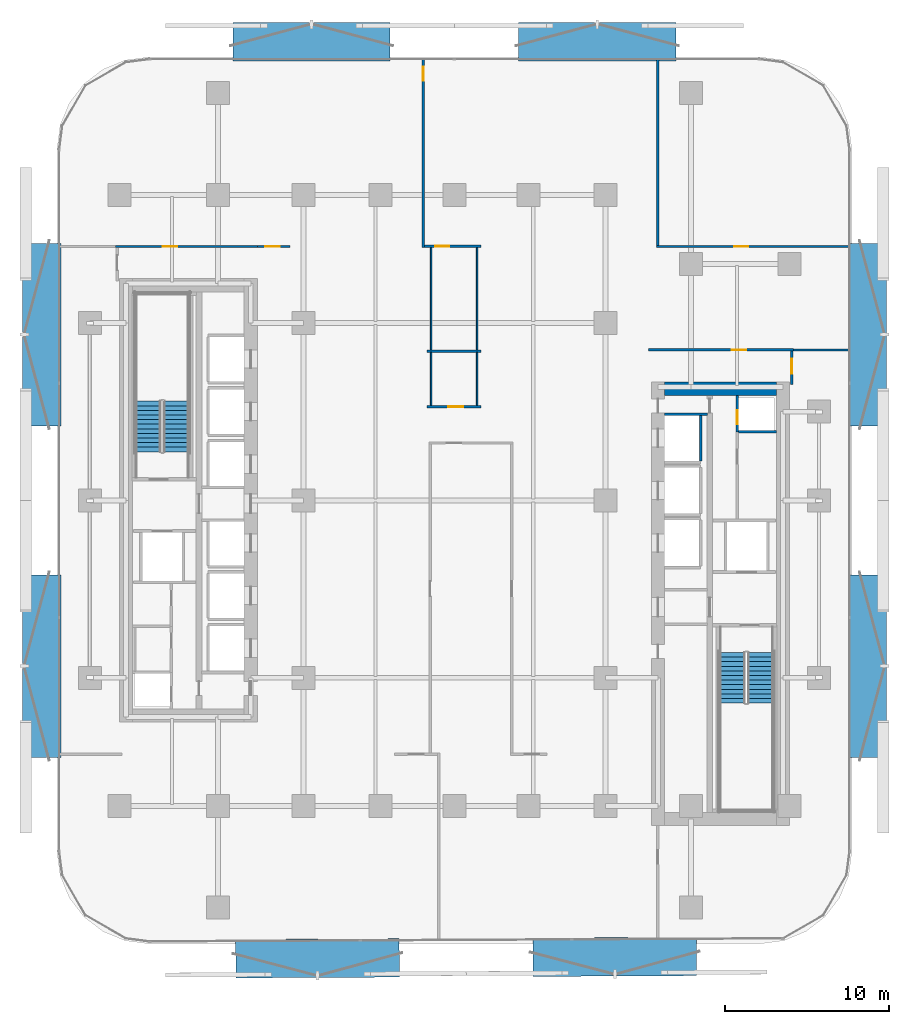
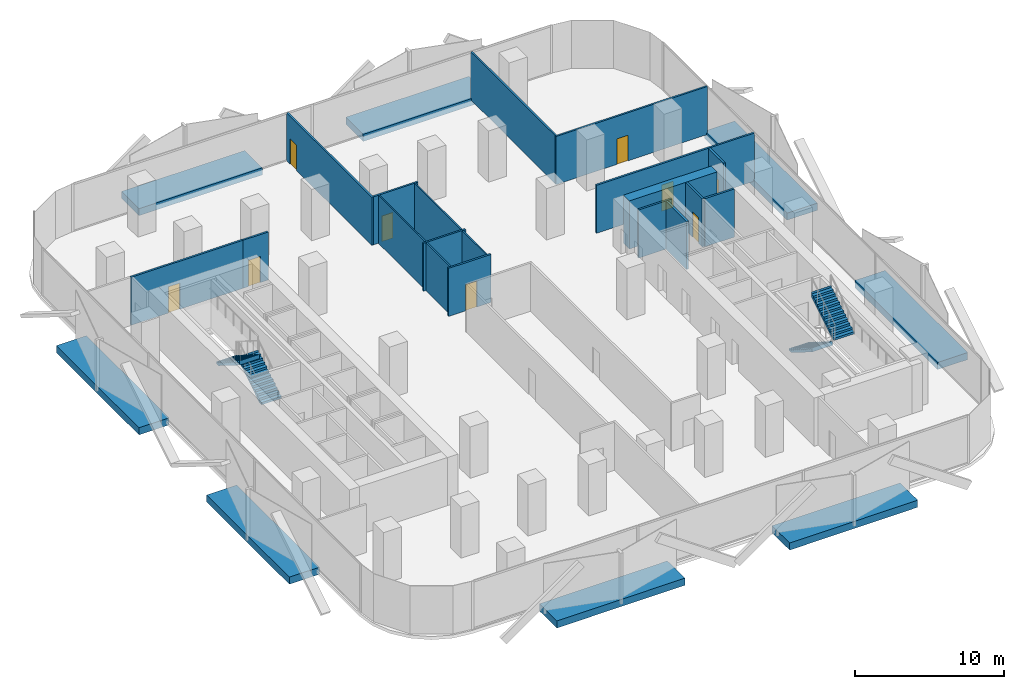
# One storey, part 5 of 14: 20 walls, 9 doors, 8 discrete accessories, 4 stair flights, 9 openings, 2 elements without a shape of their own.
"""IFC4 building model written with IfcOpenShell, lengths in metres."""

from ifc_helpers import new_model, si_unit, direction, frame, frame_2d, origin, origin_2d, place, context, subcontext, project, spatial, polyline, rectangle, outline, extrude, material, layer, layer_set, type_object, element, fill, aggregate, save


model = new_model("IFC4")

# Units and contexts
model_context = context("Model", 3, precision=1e-05, world=origin(), true_north=direction((0.0, 1.0)))
body_context = subcontext(model_context, "Body", "Model", "MODEL_VIEW")
ifc_project = project(units=[si_unit("LENGTHUNIT", "METRE"), si_unit("AREAUNIT", "SQUARE_METRE"), si_unit("VOLUMEUNIT", "CUBIC_METRE"), si_unit("PLANEANGLEUNIT", "RADIAN"), si_unit("MASSUNIT", "GRAM", prefix="KILO")], contexts=[model_context])

# Site, building, storey
site_placement = place(None, origin())
site = spatial("IfcSite", under=ifc_project, at=site_placement, CompositionType="ELEMENT")
building_placement = place(site_placement, origin())
building = spatial("IfcBuilding", under=site, at=building_placement, Name="Khairoan Windgate Tower", CompositionType="ELEMENT")
storey_placement = place(building_placement, frame((0.0, 0.0, 63.800048828125)))
storey = spatial("IfcBuildingStorey", under=building, at=storey_placement, Name="L15", CompositionType="ELEMENT", Elevation=63.800048828125)

# Walls
ifc_material_1 = material(Name="Moisture-Resistant Gypsum Partition", Category="gypsum")
ifc_layer_1 = layer(ifc_material_1, 0.10009765625, Name="Moisture-Resistant Gypsum Partition")
ifc_layer_set_1 = layer_set([ifc_layer_1], Name="Moisture-Resistant Gypsum Partition")
wall_type_1 = type_object("IfcWallType", Name="Bathroom Wet-Area Partition Wall", PredefinedType="PARTITIONING", material=ifc_layer_set_1)
for number, where, z_axis, x_axis, name in (
    (1, (1.3798828125, 9.010009765625, 0.0), (0.0, 0.0, 1.0), (0.0, -1.0, 0.0), "L15 Wet Room Side Wall 031"),
    (2, (-1.419921875, 5.780029296875, 0.0), (0.0, 0.0, 1.0), (0.0, 1.0, 0.0), "L15 Wet Room Side Wall 032"),
):
    element("IfcWall", number, at=place(storey_placement, frame(where, z_axis=z_axis, x_axis=x_axis)), inside=storey, type_object=wall_type_1, Name=name, PredefinedType="PARTITIONING", context=body_context, shape_type="SweptSolid", body=[
        extrude(rectangle(XDim=3.22998046875, YDim=0.10009765625, at=frame_2d((1.614990234375, 0.0))), origin(), (0.0, 0.0, 1.0), 3.93994140625),
    ])
for number, where, z_axis, x_axis, name in (
    (3, (1.3798828125, 15.409912109375, 0.0), (0.0, 0.0, 1.0), (0.0, -1.0, 0.0), "L15 Wet Room Side Wall 033"),
    (4, (-1.419921875, 9.14990234375, 0.0), (0.0, 0.0, 1.0), (0.0, 1.0, 0.0), "L15 Wet Room Side Wall 034"),
):
    element("IfcWall", number, at=place(storey_placement, frame(where, z_axis=z_axis, x_axis=x_axis)), inside=storey, type_object=wall_type_1, Name=name, PredefinedType="PARTITIONING", context=body_context, shape_type="SweptSolid", body=[
        extrude(rectangle(XDim=6.260009765625, YDim=0.10009765625, at=frame_2d((3.1298828125, 0.0))), origin(), (0.0, 0.0, 1.0), 3.93994140625),
    ])
ifc_material_2 = material(Name="Concrete C40/50", Category="concrete")
ifc_layer_2 = layer(ifc_material_2, 0.159912109375, Name="Concrete C40/50")
ifc_layer_set_2 = layer_set([ifc_layer_2], Name="Concrete C40/50")
wall_type_2 = type_object("IfcWallType", Name="Core and Hoistway Enclosure Wall", PredefinedType="STANDARD", material=ifc_layer_set_2)
wall_1_placement = place(storey_placement, frame((14.989990234375, 2.39990234375, 0.0), z_axis=(0.0, 0.0, 1.0), x_axis=(0.0, 1.0, 0.0)))
element("IfcWall", 5, at=wall_1_placement, inside=storey, type_object=wall_type_2, Name="L15 Lift PL7 Hoistway Back Wall", PredefinedType="STANDARD", context=body_context, shape_type="SweptSolid", body=[
    extrude(rectangle(XDim=2.800048828125, YDim=0.159912109375, at=frame_2d((1.39990234375, 0.0))), origin(), (0.0, 0.0, 1.0), 3.93994140625),
])
wall_2_placement = place(storey_placement, frame((12.800048828125, 5.25, 0.0), z_axis=(0.0, 0.0, 1.0), x_axis=(1.0, 0.0, 0.0)))
element("IfcWall", 6, at=wall_2_placement, inside=storey, type_object=wall_type_2, Name="L15 Core Shaft Wall SW-ESV-L15", PredefinedType="STANDARD", context=body_context, shape_type="SweptSolid", body=[
    extrude(rectangle(XDim=2.599853515625, YDim=0.159912109375, at=frame_2d((1.2998046875, 0.0))), origin(), (0.0, 0.0, 1.0), 3.93994140625),
])
ifc_material_3 = material(Name="Acoustic Fire-Rated Gypsum Partition", Category="gypsum")
ifc_layer_3 = layer(ifc_material_3, 0.139892578125, Name="Acoustic Fire-Rated Gypsum Partition")
ifc_layer_set_3 = layer_set([ifc_layer_3], Name="Acoustic Fire-Rated Gypsum Partition")
wall_type_3 = type_object("IfcWallType", Name="Inter-Tenancy Compartment Wall", PredefinedType="PARTITIONING", material=ifc_layer_set_3)
wall_3_placement = place(storey_placement, frame((20.639892578125, 9.159912109375, 0.0), z_axis=(0.0, 0.0, 1.0), x_axis=(1.0, 0.0, 0.0)))
element("IfcWall", 7, at=wall_3_placement, inside=storey, type_object=wall_type_3, Name="L15 Interior Partition 022", PredefinedType="PARTITIONING", context=body_context, shape_type="SweptSolid", body=[
    extrude(rectangle(XDim=3.4150390625, YDim=0.139892578125, at=frame_2d((1.70751953125, 0.0))), origin(), (0.0, 0.0, 1.0), 3.93994140625),
])

# Wall, opening, door
wall_4_placement = place(storey_placement, frame((12.305908203125, 15.4599609375, 0.0), z_axis=(0.0, 0.0, 1.0), x_axis=(1.0, 0.0, 0.0)))
wall_4 = element("IfcWall", 8, at=wall_4_placement, inside=storey, type_object=wall_type_3, Name="L15 Interior Partition 023", PredefinedType="PARTITIONING", context=body_context, shape_type="SweptSolid", body=[
    extrude(rectangle(XDim=11.7490234375, YDim=0.139892578125, at=frame_2d((5.87451171875, 0.0))), origin(), (0.0, 0.0, 1.0), 3.93994140625),
])
opening_1_placement = place(wall_4_placement, frame((4.73681640625, 0.0, 0.0)))
opening_1 = element("IfcOpeningElement", 9, at=opening_1_placement, cuts=wall_4, Name="Opening FD-SRV", PredefinedType="OPENING", context=body_context, shape_type="SweptSolid", body=[
    extrude(rectangle(XDim=0.85009765625, YDim=2.10009765625, at=frame_2d((0.425048828125, 1.050048828125))), frame((0.0, 0.079833984375, 0.0), z_axis=(0.0, -1.0, 0.0), x_axis=(1.0, 0.0, 0.0)), (0.0, 0.0, 1.0), 0.159912109375),
])
ifc_material_4 = material(Name="Steel S355", Category="steel")
door_type_1 = type_object("IfcDoorType", Name="Core Service and Riser Fire Door FD-SRV 850x2100", OperationType="NOTDEFINED", PredefinedType="DOOR", material=ifc_material_4)
door_1_placement = place(opening_1_placement, origin())
door_1 = element("IfcDoor", 10, at=door_1_placement, inside=storey, type_object=door_type_1, Name="L15 L15-37-L15-40 Door", OperationType="SINGLE_SWING_LEFT", OverallHeight=2.10009765625, OverallWidth=0.85009765625, PredefinedType="DOOR", context=body_context, shape_type="SweptSolid", body=[
    extrude(rectangle(XDim=0.85009765625, YDim=2.10009765625, at=frame_2d((0.425048828125, 1.050048828125))), frame((0.0, 0.02490234375, 0.0), z_axis=(0.0, -1.0, 0.0), x_axis=(1.0, 0.0, 0.0)), (0.0, 0.0, 1.0), 0.050048828125),
])
fill(opening_1, door_1)

wall_5_placement = place(storey_placement, frame((-1.904052734375, 15.409912109375, 0.0), z_axis=(0.0, 0.0, 1.0), x_axis=(0.0, 1.0, 0.0)))
wall_5 = element("IfcWall", 11, at=wall_5_placement, inside=storey, type_object=wall_type_3, Name="L15 Interior Partition 024", PredefinedType="PARTITIONING", context=body_context, shape_type="SweptSolid", body=[
    extrude(rectangle(XDim=11.445068359375, YDim=0.139892578125, at=frame_2d((5.72265625, 0.0))), origin(), (0.0, 0.0, 1.0), 3.93994140625),
])
opening_2_placement = place(wall_5_placement, frame((10.135009765625, 0.0, 0.0)))
opening_2 = element("IfcOpeningElement", 12, at=opening_2_placement, cuts=wall_5, Name="Opening FD-SRV", PredefinedType="OPENING", context=body_context, shape_type="SweptSolid", body=[
    extrude(rectangle(XDim=0.85009765625, YDim=2.10009765625, at=frame_2d((0.425048828125, 1.050048828125))), frame((0.0, 0.079833984375, 0.0), z_axis=(0.0, -1.0, 0.0), x_axis=(1.0, 0.0, 0.0)), (0.0, 0.0, 1.0), 0.159912109375),
])
door_2_placement = place(opening_2_placement, origin())
door_2 = element("IfcDoor", 13, at=door_2_placement, inside=storey, type_object=door_type_1, Name="L15 L15-38-L15-39 Door", OperationType="SINGLE_SWING_RIGHT", OverallHeight=2.10009765625, OverallWidth=0.85009765625, PredefinedType="DOOR", context=body_context, shape_type="SweptSolid", body=[
    extrude(rectangle(XDim=0.85009765625, YDim=2.10009765625, at=frame_2d((0.425048828125, 1.050048828125))), frame((0.0, 0.02490234375, 0.0), z_axis=(0.0, -1.0, 0.0), x_axis=(1.0, 0.0, 0.0)), (0.0, 0.0, 1.0), 0.050048828125),
])
fill(opening_2, door_2)

# Wall
wall_6_placement = place(storey_placement, frame((12.3759765625, 15.530029296875, 0.0), z_axis=(0.0, 0.0, 1.0), x_axis=(0.0, 1.0, 0.0)))
element("IfcWall", 14, at=wall_6_placement, inside=storey, type_object=wall_type_3, Name="L15 Interior Partition 025", PredefinedType="PARTITIONING", context=body_context, shape_type="SweptSolid", body=[
    extrude(rectangle(XDim=11.324951171875, YDim=0.139892578125, at=frame_2d((5.66259765625, 0.0))), origin(), (0.0, 0.0, 1.0), 3.93994140625),
])

# Wall, opening, door
wall_7_placement = place(storey_placement, frame((-1.833984375, 15.47998046875, 0.0), z_axis=(0.0, 0.0, 1.0), x_axis=(1.0, 0.0, 0.0)))
wall_7 = element("IfcWall", 15, at=wall_7_placement, inside=storey, type_object=wall_type_3, Name="L15 Interior Partition 026", PredefinedType="PARTITIONING", context=body_context, shape_type="SweptSolid", body=[
    extrude(rectangle(XDim=3.4541015625, YDim=0.139892578125, at=frame_2d((1.72705078125, 0.0))), origin(), (0.0, 0.0, 1.0), 3.93994140625),
])
opening_3_placement = place(wall_7_placement, frame((0.67041015625, 0.0, 0.0)))
opening_3 = element("IfcOpeningElement", 16, at=opening_3_placement, cuts=wall_7, Name="Opening FD-SRV", PredefinedType="OPENING", context=body_context, shape_type="SweptSolid", body=[
    extrude(rectangle(XDim=0.85009765625, YDim=2.10009765625, at=frame_2d((0.425048828125, 1.050048828125))), frame((0.0, 0.079833984375, 0.0), z_axis=(0.0, -1.0, 0.0), x_axis=(1.0, 0.0, 0.0)), (0.0, 0.0, 1.0), 0.159912109375),
])
door_3_placement = place(opening_3_placement, origin())
door_3 = element("IfcDoor", 17, at=door_3_placement, inside=storey, type_object=door_type_1, Name="L15 L15-39-L15-45 Door", OperationType="SINGLE_SWING_RIGHT", OverallHeight=2.10009765625, OverallWidth=0.85009765625, PredefinedType="DOOR", context=body_context, shape_type="SweptSolid", body=[
    extrude(rectangle(XDim=0.85009765625, YDim=2.10009765625, at=frame_2d((0.425048828125, 1.050048828125))), frame((0.0, 0.02490234375, 0.0), z_axis=(0.0, -1.0, 0.0), x_axis=(1.0, 0.0, 0.0)), (0.0, 0.0, 1.0), 0.050048828125),
])
fill(opening_3, door_3)

# Wall
wall_8_placement = place(storey_placement, frame((-1.659912109375, 9.080078125, 0.0), z_axis=(0.0, 0.0, 1.0), x_axis=(1.0, 0.0, 0.0)))
element("IfcWall", 18, at=wall_8_placement, inside=storey, type_object=wall_type_3, Name="L15 Interior Partition 029", PredefinedType="PARTITIONING", context=body_context, shape_type="SweptSolid", body=[
    extrude(rectangle(XDim=3.280029296875, YDim=0.139892578125, at=frame_2d((1.64013671875, 0.0))), origin(), (0.0, 0.0, 1.0), 3.93994140625),
])

# Wall, opening, door
ifc_material_5 = material(Name="Concrete C40/50", Category="concrete")
ifc_layer_4 = layer(ifc_material_5, 0.159912109375, Name="Concrete C40/50")
ifc_layer_set_4 = layer_set([ifc_layer_4], Name="Concrete C40/50")
wall_type_4 = type_object("IfcWallType", Name="Plant and Refuge Compartment Wall", PredefinedType="PARTITIONING", material=ifc_layer_set_4)
wall_9_placement = place(storey_placement, frame((17.22998046875, 4.169921875, 0.0), z_axis=(0.0, 0.0, 1.0), x_axis=(0.0, 1.0, 0.0)))
wall_9 = element("IfcWall", 19, at=wall_9_placement, inside=storey, type_object=wall_type_4, Name="L15 Interior Partition 006", PredefinedType="PARTITIONING", context=body_context, shape_type="SweptSolid", body=[
    extrude(rectangle(XDim=2.22998046875, YDim=0.159912109375, at=frame_2d((1.114990234375, 0.0))), origin(), (0.0, 0.0, 1.0), 3.93994140625),
])
opening_4_placement = place(wall_9_placement, frame((0.4599609375, 0.0, 0.0)))
opening_4 = element("IfcOpeningElement", 20, at=opening_4_placement, cuts=wall_9, Name="Opening FD-SRV", PredefinedType="OPENING", context=body_context, shape_type="SweptSolid", body=[
    extrude(rectangle(XDim=0.85009765625, YDim=2.10009765625, at=frame_2d((0.425048828125, 1.050048828125))), frame((0.0, 0.08984375, 0.0), z_axis=(0.0, -1.0, 0.0), x_axis=(1.0, 0.0, 0.0)), (0.0, 0.0, 1.0), 0.179931640625),
])
door_4_placement = place(opening_4_placement, origin())
door_4 = element("IfcDoor", 21, at=door_4_placement, inside=storey, type_object=door_type_1, Name="L15 L15-19-L15-20 Door", OperationType="SINGLE_SWING_RIGHT", OverallHeight=2.10009765625, OverallWidth=0.85009765625, PredefinedType="DOOR", context=body_context, shape_type="SweptSolid", body=[
    extrude(rectangle(XDim=0.85009765625, YDim=2.10009765625, at=frame_2d((0.425048828125, 1.050048828125))), frame((0.0, 0.02490234375, 0.0), z_axis=(0.0, -1.0, 0.0), x_axis=(1.0, 0.0, 0.0)), (0.0, 0.0, 1.0), 0.050048828125),
])
fill(opening_4, door_4)

# Wall
wall_10_placement = place(storey_placement, frame((17.31005859375, 4.169921875, 0.0), z_axis=(0.0, 0.0, 1.0), x_axis=(1.0, 0.0, 0.0)))
element("IfcWall", 22, at=wall_10_placement, inside=storey, type_object=wall_type_4, Name="L15 Interior Partition 008", PredefinedType="PARTITIONING", context=body_context, shape_type="SweptSolid", body=[
    extrude(rectangle(XDim=2.2900390625, YDim=0.159912109375, at=frame_2d((1.14501953125, 0.0))), origin(), (0.0, 0.0, 1.0), 3.93994140625),
])

# Wall, opening, door
ifc_material_6 = material(Name="Acoustic Fire-Rated Gypsum Partition", Category="gypsum")
ifc_layer_5 = layer(ifc_material_6, 0.14990234375, Name="Acoustic Fire-Rated Gypsum Partition")
ifc_layer_set_5 = layer_set([ifc_layer_5], Name="Acoustic Fire-Rated Gypsum Partition")
wall_type_5 = type_object("IfcWallType", Name="Rated Corridor Partition Wall", PredefinedType="PARTITIONING", material=ifc_layer_set_5)
wall_11_placement = place(storey_placement, frame((-11.989990234375, 15.4599609375, 0.0), z_axis=(0.0, 0.0, 1.0), x_axis=(1.0, 0.0, 0.0)))
wall_11 = element("IfcWall", 23, at=wall_11_placement, inside=storey, type_object=wall_type_5, Name="L15 Interior Partition 009", PredefinedType="PARTITIONING", context=body_context, shape_type="SweptSolid", body=[
    extrude(rectangle(XDim=1.97998046875, YDim=0.14990234375, at=frame_2d((0.989990234375, 0.0))), origin(), (0.0, 0.0, 1.0), 3.93994140625),
])
opening_5_placement = place(wall_11_placement, frame((0.4599609375, 0.0, 0.0)))
opening_5 = element("IfcOpeningElement", 24, at=opening_5_placement, cuts=wall_11, Name="Opening FD-ENT", PredefinedType="OPENING", context=body_context, shape_type="SweptSolid", body=[
    extrude(rectangle(XDim=0.89990234375, YDim=2.14990234375, at=frame_2d((0.449951171875, 1.074951171875))), frame((0.0, 0.0849609375, 0.0), z_axis=(0.0, -1.0, 0.0), x_axis=(1.0, 0.0, 0.0)), (0.0, 0.0, 1.0), 0.169921875),
])
ifc_material_7 = material(Name="Timber Fire-Rated Core", Category="wood")
door_type_2 = type_object("IfcDoorType", Name="Unit and Office Fire Entrance Door FD-ENT 900x2150", OperationType="NOTDEFINED", PredefinedType="DOOR", material=ifc_material_7)
door_5_placement = place(opening_5_placement, origin())
door_5 = element("IfcDoor", 25, at=door_5_placement, inside=storey, type_object=door_type_2, Name="L15 L15-28-L15-38 Door", OperationType="SINGLE_SWING_RIGHT", OverallHeight=2.14990234375, OverallWidth=0.89990234375, PredefinedType="DOOR", context=body_context, shape_type="SweptSolid", body=[
    extrude(rectangle(XDim=0.89990234375, YDim=2.14990234375, at=frame_2d((0.449951171875, 1.074951171875))), frame((0.0, 0.02490234375, 0.0), z_axis=(0.0, -1.0, 0.0), x_axis=(1.0, 0.0, 0.0)), (0.0, 0.0, 1.0), 0.050048828125),
])
fill(opening_5, door_5)

wall_12_placement = place(storey_placement, frame((-1.659912109375, 5.705078125, 0.0), z_axis=(0.0, 0.0, 1.0), x_axis=(1.0, 0.0, 0.0)))
wall_12 = element("IfcWall", 26, at=wall_12_placement, inside=storey, type_object=wall_type_5, Name="L15 Interior Partition 010", PredefinedType="PARTITIONING", context=body_context, shape_type="SweptSolid", body=[
    extrude(rectangle(XDim=3.280029296875, YDim=0.14990234375, at=frame_2d((1.64013671875, 0.0))), origin(), (0.0, 0.0, 1.0), 3.93994140625),
])
opening_6_placement = place(wall_12_placement, frame((1.294189453125, 0.0, 0.0)))
opening_6 = element("IfcOpeningElement", 27, at=opening_6_placement, cuts=wall_12, Name="Opening FD-ENT", PredefinedType="OPENING", context=body_context, shape_type="SweptSolid", body=[
    extrude(rectangle(XDim=0.89990234375, YDim=2.14990234375, at=frame_2d((0.449951171875, 1.074951171875))), frame((0.0, 0.0849609375, 0.0), z_axis=(0.0, -1.0, 0.0), x_axis=(1.0, 0.0, 0.0)), (0.0, 0.0, 1.0), 0.169921875),
])
door_6_placement = place(opening_6_placement, origin())
door_6 = element("IfcDoor", 28, at=door_6_placement, inside=storey, type_object=door_type_2, Name="L15 L15-30-L15-44 Door", OperationType="SINGLE_SWING_LEFT", OverallHeight=2.14990234375, OverallWidth=0.89990234375, PredefinedType="DOOR", context=body_context, shape_type="SweptSolid", body=[
    extrude(rectangle(XDim=0.89990234375, YDim=2.14990234375, at=frame_2d((0.449951171875, 1.074951171875))), frame((0.0, 0.02490234375, 0.0), z_axis=(0.0, -1.0, 0.0), x_axis=(1.0, 0.0, 0.0)), (0.0, 0.0, 1.0), 0.050048828125),
])
fill(opening_6, door_6)

wall_13_placement = place(storey_placement, frame((-20.639892578125, 15.4599609375, 0.0), z_axis=(0.0, 0.0, 1.0), x_axis=(1.0, 0.0, 0.0)))
wall_13 = element("IfcWall", 29, at=wall_13_placement, inside=storey, type_object=wall_type_5, Name="L15 Interior Partition 017", PredefinedType="PARTITIONING", context=body_context, shape_type="SweptSolid", body=[
    extrude(rectangle(XDim=8.64990234375, YDim=0.14990234375, at=frame_2d((4.324951171875, 0.0))), origin(), (0.0, 0.0, 1.0), 3.93994140625),
])
opening_7_placement = place(wall_13_placement, frame((2.87060546875, 0.0, 0.0)))
opening_7 = element("IfcOpeningElement", 30, at=opening_7_placement, cuts=wall_13, Name="Opening FD-ENT", PredefinedType="OPENING", context=body_context, shape_type="SweptSolid", body=[
    extrude(rectangle(XDim=0.89990234375, YDim=2.14990234375, at=frame_2d((0.449951171875, 1.074951171875))), frame((0.0, 0.0849609375, 0.0), z_axis=(0.0, -1.0, 0.0), x_axis=(1.0, 0.0, 0.0)), (0.0, 0.0, 1.0), 0.169921875),
])
door_7_placement = place(opening_7_placement, origin())
door_7 = element("IfcDoor", 31, at=door_7_placement, inside=storey, type_object=door_type_2, Name="L15 L15-33-L15-38 Door", OperationType="SINGLE_SWING_RIGHT", OverallHeight=2.14990234375, OverallWidth=0.89990234375, PredefinedType="DOOR", context=body_context, shape_type="SweptSolid", body=[
    extrude(rectangle(XDim=0.89990234375, YDim=2.14990234375, at=frame_2d((0.449951171875, 1.074951171875))), frame((0.0, 0.02490234375, 0.0), z_axis=(0.0, -1.0, 0.0), x_axis=(1.0, 0.0, 0.0)), (0.0, 0.0, 1.0), 0.050048828125),
])
fill(opening_7, door_7)

wall_14_placement = place(storey_placement, frame((20.5400390625, 7.06005859375, 0.0), z_axis=(0.0, 0.0, 1.0), x_axis=(0.0, 1.0, 0.0)))
wall_14 = element("IfcWall", 32, at=wall_14_placement, inside=storey, type_object=wall_type_5, Name="L15 Interior Partition 018", PredefinedType="PARTITIONING", context=body_context, shape_type="SweptSolid", body=[
    extrude(rectangle(XDim=2.02490234375, YDim=0.14990234375, at=frame_2d((1.012451171875, 0.0))), origin(), (0.0, 0.0, 1.0), 3.93994140625),
])
opening_8_placement = place(wall_14_placement, frame((0.6650390625, 0.0, 0.0)))
opening_8 = element("IfcOpeningElement", 33, at=opening_8_placement, cuts=wall_14, Name="Opening FD-ENT", PredefinedType="OPENING", context=body_context, shape_type="SweptSolid", body=[
    extrude(rectangle(XDim=0.89990234375, YDim=2.14990234375, at=frame_2d((0.449951171875, 1.074951171875))), frame((0.0, 0.0849609375, 0.0), z_axis=(0.0, -1.0, 0.0), x_axis=(1.0, 0.0, 0.0)), (0.0, 0.0, 1.0), 0.169921875),
])
door_8_placement = place(opening_8_placement, origin())
door_8 = element("IfcDoor", 34, at=door_8_placement, inside=storey, type_object=door_type_2, Name="L15 L15-34-L15-36 Door", OperationType="SINGLE_SWING_LEFT", OverallHeight=2.14990234375, OverallWidth=0.89990234375, PredefinedType="DOOR", context=body_context, shape_type="SweptSolid", body=[
    extrude(rectangle(XDim=0.89990234375, YDim=2.14990234375, at=frame_2d((0.449951171875, 1.074951171875))), frame((0.0, 0.02490234375, 0.0), z_axis=(0.0, -1.0, 0.0), x_axis=(1.0, 0.0, 0.0)), (0.0, 0.0, 1.0), 0.050048828125),
])
fill(opening_8, door_8)

wall_15_placement = place(storey_placement, frame((11.81005859375, 9.159912109375, 0.0), z_axis=(0.0, 0.0, 1.0), x_axis=(1.0, 0.0, 0.0)))
wall_15 = element("IfcWall", 35, at=wall_15_placement, inside=storey, type_object=wall_type_5, Name="L15 Interior Partition 019", PredefinedType="PARTITIONING", context=body_context, shape_type="SweptSolid", body=[
    extrude(rectangle(XDim=8.829833984375, YDim=0.14990234375, at=frame_2d((4.4150390625, 0.0))), origin(), (0.0, 0.0, 1.0), 3.93994140625),
])
opening_9_placement = place(wall_15_placement, frame((5.066650390625, 0.0, 0.0)))
opening_9 = element("IfcOpeningElement", 36, at=opening_9_placement, cuts=wall_15, Name="Opening FD-ENT", PredefinedType="OPENING", context=body_context, shape_type="SweptSolid", body=[
    extrude(rectangle(XDim=0.89990234375, YDim=2.14990234375, at=frame_2d((0.449951171875, 1.074951171875))), frame((0.0, 0.0849609375, 0.0), z_axis=(0.0, -1.0, 0.0), x_axis=(1.0, 0.0, 0.0)), (0.0, 0.0, 1.0), 0.169921875),
])
door_9_placement = place(opening_9_placement, origin())
door_9 = element("IfcDoor", 37, at=door_9_placement, inside=storey, type_object=door_type_2, Name="L15 L15-34-L15-37 Door", OperationType="SINGLE_SWING_RIGHT", OverallHeight=2.14990234375, OverallWidth=0.89990234375, PredefinedType="DOOR", context=body_context, shape_type="SweptSolid", body=[
    extrude(rectangle(XDim=0.89990234375, YDim=2.14990234375, at=frame_2d((0.449951171875, 1.074951171875))), frame((0.0, 0.02490234375, 0.0), z_axis=(0.0, -1.0, 0.0), x_axis=(1.0, 0.0, 0.0)), (0.0, 0.0, 1.0), 0.050048828125),
])
fill(opening_9, door_9)

# Wall
ifc_material_8 = material(Name="Concrete C70/85", Category="concrete")
ifc_layer_6 = layer(ifc_material_8, 0.800048828125, Name="Concrete C70/85")
ifc_layer_set_6 = layer_set([ifc_layer_6], Name="Concrete C70/85")
wall_type_6 = type_object("IfcWallType", Name="Shear Wall CW-E1 800mm", PredefinedType="SHEAR", material=ifc_layer_set_6)
wall_16_placement = place(storey_placement, frame((12.800048828125, 6.800048828125, 0.0), z_axis=(0.0, 0.0, 1.0), x_axis=(1.0, 0.0, 0.0)))
element("IfcWall", 38, at=wall_16_placement, inside=storey, type_object=wall_type_6, Name="E Core North Shear Wall L15", PredefinedType="SHEAR", context=body_context, shape_type="SweptSolid", body=[
    extrude(rectangle(XDim=6.800048828125, YDim=0.800048828125, at=frame_2d((3.39990234375, 0.0))), origin(), (0.0, 0.0, 1.0), 3.93994140625),
])

# Stair, stair flights
ifc_material_9 = material(Name="Concrete C40/50", Category="concrete")
stair_type = type_object("IfcStairType", Name="Tower Core Dog-Leg Stair ST-T1 1560mm", PredefinedType="HALF_TURN_STAIR", material=ifc_material_9)
stair_1_placement = place(storey_placement, origin())
stair_1 = element("IfcStair", 39, at=stair_1_placement, inside=storey, type_object=stair_type, Name="L15 Stair ST1", PredefinedType="HALF_TURN_STAIR")
ifc_material_10 = material(Name="Concrete C40/50", Category="concrete")
ifc_layer_7 = layer(ifc_material_10, 0.14990234375, Name="Concrete C40/50")
ifc_layer_set_7 = layer_set([ifc_layer_7], Name="Concrete C40/50")
stair_flight_type = type_object("IfcStairFlightType", Name="Tower Core Stair Flight STF-1560", PredefinedType="STRAIGHT", material=ifc_layer_set_7)
stair_flight_1_placement = place(storey_placement, frame((16.929931640625, -9.260009765625, 0.0), z_axis=(0.0, 0.0, 1.0), x_axis=(0.0, -1.0, 0.0)))
stair_flight_1 = element("IfcStairFlight", 40, at=stair_flight_1_placement, type_object=stair_flight_type, Name="ST1 flight 1", NumberOfRisers=12, NumberOfTreads=11, PredefinedType="STRAIGHT", RiserHeight=0.175, TreadLength=0.28, context=body_context, shape_type="SweptSolid", body=[
    extrude(outline(polyline([(-0.00390625, 0.0), (-0.00390625, 0.175048828125), (0.0, 0.175048828125), (0.280029296875, 0.175048828125), (0.280029296875, 0.35009765625), (0.56005859375, 0.35009765625), (0.56005859375, 0.52490234375), (0.840087890625, 0.52490234375), (0.840087890625, 0.699951171875), (1.1201171875, 0.699951171875), (1.1201171875, 0.875), (1.39990234375, 0.875), (1.39990234375, 1.050048828125), (1.679931640625, 1.050048828125), (1.679931640625, 1.22509765625), (1.9599609375, 1.22509765625), (1.9599609375, 1.39990234375), (2.239990234375, 1.39990234375), (2.239990234375, 1.574951171875), (2.52001953125, 1.574951171875), (2.52001953125, 1.75), (2.800048828125, 1.75), (2.800048828125, 1.925048828125), (3.080078125, 1.925048828125), (3.080078125, 2.10009765625), (3.083984375, 2.10009765625), (3.083984375, 1.748291015625), (0.28271484375, 0.0), (-0.00390625, 0.0)])), frame((0.0, 0.780029296875, 0.0), z_axis=(0.0, -1.0, 0.0), x_axis=(1.0, 0.0, 0.0)), (0.0, 0.0, 1.0), 1.56005859375),
])
stair_flight_2_placement = place(storey_placement, frame((18.639892578125, -12.340087890625, 2.099853515625), z_axis=(0.0, 0.0, 1.0), x_axis=(0.0, 1.0, 0.0)))
stair_flight_2 = element("IfcStairFlight", 41, at=stair_flight_2_placement, type_object=stair_flight_type, Name="ST1 flight 2", NumberOfRisers=12, NumberOfTreads=11, PredefinedType="STRAIGHT", RiserHeight=0.175, TreadLength=0.28, context=body_context, shape_type="SweptSolid", body=[
    extrude(outline(polyline([(-0.00390625, 0.0), (-0.00390625, 0.175048828125), (0.0, 0.175048828125), (0.280029296875, 0.175048828125), (0.280029296875, 0.35009765625), (0.56005859375, 0.35009765625), (0.56005859375, 0.52490234375), (0.840087890625, 0.52490234375), (0.840087890625, 0.699951171875), (1.1201171875, 0.699951171875), (1.1201171875, 0.875), (1.39990234375, 0.875), (1.39990234375, 1.050048828125), (1.679931640625, 1.050048828125), (1.679931640625, 1.22509765625), (1.9599609375, 1.22509765625), (1.9599609375, 1.39990234375), (2.239990234375, 1.39990234375), (2.239990234375, 1.574951171875), (2.52001953125, 1.574951171875), (2.52001953125, 1.75), (2.800048828125, 1.75), (2.800048828125, 1.925048828125), (3.080078125, 1.925048828125), (3.080078125, 2.10009765625), (3.083984375, 2.10009765625), (3.083984375, 1.748291015625), (0.28271484375, 0.0), (-0.00390625, 0.0)])), frame((0.0, 0.780029296875, 0.0), z_axis=(0.0, -1.0, 0.0), x_axis=(1.0, 0.0, 0.0)), (0.0, 0.0, 1.0), 1.56005859375),
])
aggregate(stair_1, [stair_flight_1, stair_flight_2])

stair_2_placement = place(storey_placement, origin())
stair_2 = element("IfcStair", 42, at=stair_2_placement, inside=storey, type_object=stair_type, Name="L15 Stair ST2", PredefinedType="HALF_TURN_STAIR")
stair_flight_3_placement = place(storey_placement, frame((-16.929931640625, 2.9599609375, 0.0), z_axis=(0.0, 0.0, 1.0), x_axis=(0.0, 1.0, 0.0)))
stair_flight_3 = element("IfcStairFlight", 43, at=stair_flight_3_placement, type_object=stair_flight_type, Name="ST2 flight 1", NumberOfRisers=12, NumberOfTreads=11, PredefinedType="STRAIGHT", RiserHeight=0.175, TreadLength=0.28, context=body_context, shape_type="SweptSolid", body=[
    extrude(outline(polyline([(-0.00390625, 0.0), (-0.00390625, 0.175048828125), (0.0, 0.175048828125), (0.280029296875, 0.175048828125), (0.280029296875, 0.35009765625), (0.56005859375, 0.35009765625), (0.56005859375, 0.52490234375), (0.840087890625, 0.52490234375), (0.840087890625, 0.699951171875), (1.1201171875, 0.699951171875), (1.1201171875, 0.875), (1.39990234375, 0.875), (1.39990234375, 1.050048828125), (1.679931640625, 1.050048828125), (1.679931640625, 1.22509765625), (1.9599609375, 1.22509765625), (1.9599609375, 1.39990234375), (2.239990234375, 1.39990234375), (2.239990234375, 1.574951171875), (2.52001953125, 1.574951171875), (2.52001953125, 1.75), (2.800048828125, 1.75), (2.800048828125, 1.925048828125), (3.080078125, 1.925048828125), (3.080078125, 2.10009765625), (3.083984375, 2.10009765625), (3.083984375, 1.748291015625), (0.28271484375, 0.0), (-0.00390625, 0.0)])), frame((0.0, 0.780029296875, 0.0), z_axis=(0.0, -1.0, 0.0), x_axis=(1.0, 0.0, 0.0)), (0.0, 0.0, 1.0), 1.56005859375),
])
stair_flight_4_placement = place(storey_placement, frame((-18.639892578125, 6.0400390625, 2.099853515625), z_axis=(0.0, 0.0, 1.0), x_axis=(0.0, -1.0, 0.0)))
stair_flight_4 = element("IfcStairFlight", 44, at=stair_flight_4_placement, type_object=stair_flight_type, Name="ST2 flight 2", NumberOfRisers=12, NumberOfTreads=11, PredefinedType="STRAIGHT", RiserHeight=0.175, TreadLength=0.28, context=body_context, shape_type="SweptSolid", body=[
    extrude(outline(polyline([(-0.00390625, 0.0), (-0.00390625, 0.175048828125), (0.0, 0.175048828125), (0.280029296875, 0.175048828125), (0.280029296875, 0.35009765625), (0.56005859375, 0.35009765625), (0.56005859375, 0.52490234375), (0.840087890625, 0.52490234375), (0.840087890625, 0.699951171875), (1.1201171875, 0.699951171875), (1.1201171875, 0.875), (1.39990234375, 0.875), (1.39990234375, 1.050048828125), (1.679931640625, 1.050048828125), (1.679931640625, 1.22509765625), (1.9599609375, 1.22509765625), (1.9599609375, 1.39990234375), (2.239990234375, 1.39990234375), (2.239990234375, 1.574951171875), (2.52001953125, 1.574951171875), (2.52001953125, 1.75), (2.800048828125, 1.75), (2.800048828125, 1.925048828125), (3.080078125, 1.925048828125), (3.080078125, 2.10009765625), (3.083984375, 2.10009765625), (3.083984375, 1.748291015625), (0.28271484375, 0.0), (-0.00390625, 0.0)])), frame((0.0, 0.780029296875, 0.0), z_axis=(0.0, -1.0, 0.0), x_axis=(1.0, 0.0, 0.0)), (0.0, 0.0, 1.0), 1.56005859375),
])
aggregate(stair_2, [stair_flight_3, stair_flight_4])

# Discrete accessories
ifc_material_11 = material(Name="Steel S355", Category="steel")
discrete_accessory_type = type_object("IfcDiscreteAccessoryType", Name="Solar Screen Outrigger Slab Bracket SSB-1", PredefinedType="BRACKET", material=ifc_material_11)
for number, where, z_axis, x_axis, name in (
    (45, (9.76708984375, -27.79248046875, -0.420166015625), (0.0, 0.0, 1.0), (-0.999988059021, -0.004886902454, 0.0), "L15 Solar Screen Outrigger Bracket 73"),
    (46, (-8.334716796875, -27.88037109375, -0.420166015625), (0.0, 0.0, 1.0), (-0.999988059021, -0.004886902454, 0.0), "L15 Solar Screen Outrigger Bracket 74"),
):
    element("IfcDiscreteAccessory", number, at=place(storey_placement, frame(where, z_axis=z_axis, x_axis=x_axis)), inside=storey, type_object=discrete_accessory_type, Name=name, PredefinedType="BRACKET", context=body_context, shape_type="SweptSolid", body=[
        extrude(rectangle(XDim=9.9560546875, YDim=2.340087890625, at=origin_2d()), origin(), (0.0, 0.0, 1.0), 0.580078125),
    ])
for number, where, z_axis, x_axis, name in (
    (47, (-25.1298828125, -10.095458984375, -0.420166015625), (0.0, 0.0, 1.0), (0.0, 1.0, 0.0), "L15 Solar Screen Outrigger Bracket 75"),
    (48, (-25.1298828125, 10.095458984375, -0.420166015625), (0.0, 0.0, 1.0), (0.0, 1.0, 0.0), "L15 Solar Screen Outrigger Bracket 76"),
):
    element("IfcDiscreteAccessory", number, at=place(storey_placement, frame(where, z_axis=z_axis, x_axis=x_axis)), inside=storey, type_object=discrete_accessory_type, Name=name, PredefinedType="BRACKET", context=body_context, shape_type="SweptSolid", body=[
        extrude(rectangle(XDim=11.10498046875, YDim=2.340087890625, at=origin_2d()), origin(), (0.0, 0.0, 1.0), 0.580078125),
    ])
for number, where, z_axis, x_axis, name in (
    (49, (-8.6953125, 27.929931640625, -0.420166015625), (0.0, 0.0, 1.0), (1.0, 0.0, 0.0), "L15 Solar Screen Outrigger Bracket 77"),
    (50, (8.6953125, 27.929931640625, -0.420166015625), (0.0, 0.0, 1.0), (1.0, 0.0, 0.0), "L15 Solar Screen Outrigger Bracket 78"),
):
    element("IfcDiscreteAccessory", number, at=place(storey_placement, frame(where, z_axis=z_axis, x_axis=x_axis)), inside=storey, type_object=discrete_accessory_type, Name=name, PredefinedType="BRACKET", context=body_context, shape_type="SweptSolid", body=[
        extrude(rectangle(XDim=9.56494140625, YDim=2.340087890625, at=origin_2d()), origin(), (0.0, 0.0, 1.0), 0.580078125),
    ])
for number, where, z_axis, x_axis, name in (
    (51, (25.1298828125, 10.095458984375, -0.420166015625), (0.0, 0.0, 1.0), (0.0, -1.0, 0.0), "L15 Solar Screen Outrigger Bracket 79"),
    (52, (25.1298828125, -10.095458984375, -0.420166015625), (0.0, 0.0, 1.0), (0.0, -1.0, 0.0), "L15 Solar Screen Outrigger Bracket 80"),
):
    element("IfcDiscreteAccessory", number, at=place(storey_placement, frame(where, z_axis=z_axis, x_axis=x_axis)), inside=storey, type_object=discrete_accessory_type, Name=name, PredefinedType="BRACKET", context=body_context, shape_type="SweptSolid", body=[
        extrude(rectangle(XDim=11.10498046875, YDim=2.340087890625, at=origin_2d()), origin(), (0.0, 0.0, 1.0), 0.580078125),
    ])

save(model, "model.ifc")
